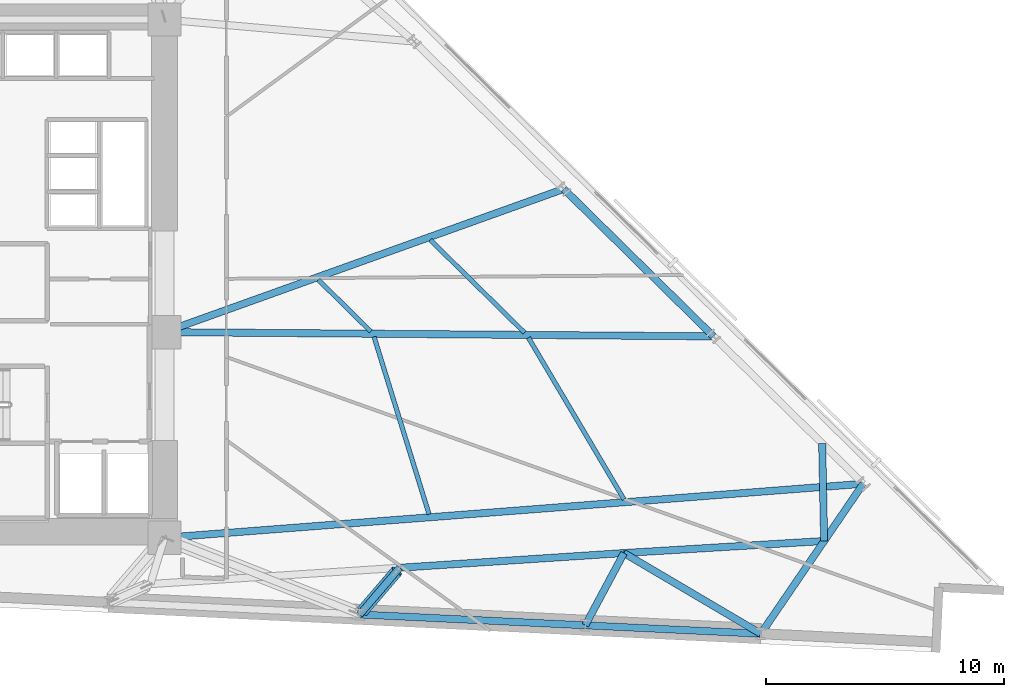
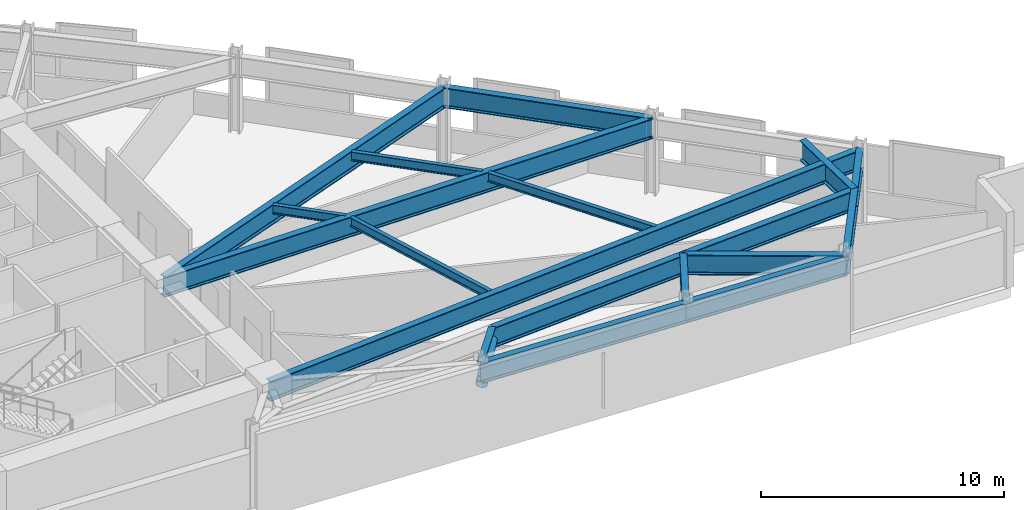
# One storey, part 3 of 18: 17 beams, 1 member.
"""IFC4 building model written with IfcOpenShell, lengths in metres."""

from ifc_helpers import new_model, si_unit, direction, frame, origin, origin_2d, place, context, subcontext, project, spatial, hollow_circle, i_section, extrude, material, material_profile, profile_set, type_object, element, save


model = new_model("IFC4")

# Units and contexts
model_context = context("Model", 3, precision=1e-05, world=origin(), true_north=direction((0.0, 1.0)))
body_context = subcontext(model_context, "Body", "Model", "MODEL_VIEW")
ifc_project = project(units=[si_unit("LENGTHUNIT", "METRE"), si_unit("AREAUNIT", "SQUARE_METRE"), si_unit("VOLUMEUNIT", "CUBIC_METRE"), si_unit("PLANEANGLEUNIT", "RADIAN"), si_unit("MASSUNIT", "GRAM", prefix="KILO")], contexts=[model_context])

# Site, building, storey
site_placement = place(None, origin())
site = spatial("IfcSite", under=ifc_project, at=site_placement, CompositionType="ELEMENT")
building_placement = place(site_placement, origin())
building = spatial("IfcBuilding", under=site, at=building_placement, Name="Narakoshi Arena Tower", CompositionType="ELEMENT")
storey_placement = place(building_placement, frame((0.0, 0.0, 59.10009765625)))
storey = spatial("IfcBuildingStorey", under=building, at=storey_placement, Name="L15", CompositionType="ELEMENT", Elevation=59.10009765625)

# Beams
ifc_material_1 = material(Name="Structural steel S355J2", Category="steel")
ifc_material_profile_1 = material_profile(ifc_material_1, i_section(OverallWidth=0.18994140625, OverallDepth=0.449951171875, WebThickness=0.009521484375, FlangeThickness=0.0146484375, FilletRadius=0.02099609375, at=origin_2d()), Name="IPE450")
ifc_profile_set_1 = profile_set([ifc_material_profile_1], Name="Structural steel S355J2")
beam_type_1 = type_object("IfcBeamType", Name="BM-SEC-450", PredefinedType="JOIST", material=ifc_profile_set_1)
beam_1_placement = place(storey_placement, frame((96.67919921875, 35.69140625, 3.574951171875), z_axis=(-0.296160353324, 0.955138233513, 0.0), x_axis=(-0.955138233513, -0.296160353324, 0.0)))
element("IfcBeam", 1, at=beam_1_placement, inside=storey, type_object=beam_type_1, Name="L15 Composite Secondary Floor Joist 01", PredefinedType="JOIST", context=body_context, shape_type="SweptSolid", body=[
    extrude(i_section(OverallWidth=0.18994140625, OverallDepth=0.449951171875, WebThickness=0.009521484375, FlangeThickness=0.0146484375, FilletRadius=0.02099609375, at=origin_2d()), origin(), (0.0, 0.0, 1.0), 7.8125),
])
beam_2_placement = place(storey_placement, frame((104.880126953125, 36.314453125, 3.574951171875), z_axis=(-0.508758462188, 0.860909302512, 0.0), x_axis=(-0.860909302512, -0.508758462188, 0.0)))
element("IfcBeam", 2, at=beam_2_placement, inside=storey, type_object=beam_type_1, Name="L15 Composite Secondary Floor Joist 02", PredefinedType="JOIST", context=body_context, shape_type="SweptSolid", body=[
    extrude(i_section(OverallWidth=0.18994140625, OverallDepth=0.449951171875, WebThickness=0.009521484375, FlangeThickness=0.0146484375, FilletRadius=0.02099609375, at=origin_2d()), origin(), (0.0, 0.0, 1.0), 7.900634765625),
])
beam_3_placement = place(storey_placement, frame((94.2294921875, 43.376953125, 3.574951171875), z_axis=(-0.712578369214, 0.701592522572, 0.0), x_axis=(-0.701592522572, -0.712578369214, 0.0)))
element("IfcBeam", 3, at=beam_3_placement, inside=storey, type_object=beam_type_1, Name="L15 Composite Secondary Floor Joist 03", PredefinedType="JOIST", context=body_context, shape_type="SweptSolid", body=[
    extrude(i_section(OverallWidth=0.18994140625, OverallDepth=0.449951171875, WebThickness=0.009521484375, FlangeThickness=0.0146484375, FilletRadius=0.02099609375, at=origin_2d()), origin(), (0.0, 0.0, 1.0), 3.089111328125),
])
beam_4_placement = place(storey_placement, frame((100.69580078125, 43.3271484375, 3.574951171875), z_axis=(-0.712548594801, 0.701622761923, 0.0), x_axis=(-0.701622761923, -0.712548594801, 0.0)))
element("IfcBeam", 4, at=beam_4_placement, inside=storey, type_object=beam_type_1, Name="L15 Composite Secondary Floor Joist 04", PredefinedType="JOIST", context=body_context, shape_type="SweptSolid", body=[
    extrude(i_section(OverallWidth=0.18994140625, OverallDepth=0.449951171875, WebThickness=0.009521484375, FlangeThickness=0.0146484375, FilletRadius=0.02099609375, at=origin_2d()), origin(), (0.0, 0.0, 1.0), 5.56396484375),
])
ifc_material_2 = material(Name="Structural steel S460ML", Category="steel")
ifc_material_profile_2 = material_profile(ifc_material_2, i_section(OverallWidth=0.302001953125, OverallDepth=1.008056640625, WebThickness=0.02099609375, FlangeThickness=0.0400390625, FilletRadius=0.030029296875, at=origin_2d()), Name="HE1000M")
ifc_profile_set_2 = profile_set([ifc_material_profile_2], Name="Structural steel S460ML")
beam_type_2 = type_object("IfcBeamType", Name="BM-XFER-1000", PredefinedType="BEAM", material=ifc_profile_set_2)
beam_5_placement = place(storey_placement, frame((93.760009765625, 31.472412109375, 3.2958984375), z_axis=(0.998849228903, -0.047960587155, 0.0), x_axis=(0.047960587155, 0.998849228903, 0.0)))
element("IfcBeam", 5, at=beam_5_placement, inside=storey, type_object=beam_type_2, Name="L15 Perimeter Transfer Ring Girder 02", PredefinedType="BEAM", context=body_context, shape_type="SweptSolid", body=[
    extrude(i_section(OverallWidth=0.302001953125, OverallDepth=1.008056640625, WebThickness=0.02099609375, FlangeThickness=0.0400390625, FilletRadius=0.030029296875, at=origin_2d()), origin(), (0.0, 0.0, 1.0), 9.50390625),
])
beam_6_placement = place(storey_placement, frame((103.2529296875, 31.0166015625, 3.2958984375), z_axis=(0.998847872759, -0.047988822508, 0.0), x_axis=(0.047988822508, 0.998847872759, 0.0)))
element("IfcBeam", 6, at=beam_6_placement, inside=storey, type_object=beam_type_2, Name="L15 Perimeter Transfer Ring Girder 03", PredefinedType="BEAM", context=body_context, shape_type="SweptSolid", body=[
    extrude(i_section(OverallWidth=0.302001953125, OverallDepth=1.008056640625, WebThickness=0.02099609375, FlangeThickness=0.0400390625, FilletRadius=0.030029296875, at=origin_2d()), origin(), (0.0, 0.0, 1.0), 7.39208984375),
])
beam_7_placement = place(storey_placement, frame((110.636474609375, 30.661865234375, 3.2958984375), z_axis=(0.563755333308, 0.825941840668, 0.0), x_axis=(-0.825941840668, 0.563755333308, 0.0)))
element("IfcBeam", 7, at=beam_7_placement, inside=storey, type_object=beam_type_2, Name="L15 Perimeter Transfer Ring Girder 04", PredefinedType="BEAM", context=body_context, shape_type="SweptSolid", body=[
    extrude(i_section(OverallWidth=0.302001953125, OverallDepth=1.008056640625, WebThickness=0.02099609375, FlangeThickness=0.0400390625, FilletRadius=0.030029296875, at=origin_2d()), origin(), (0.0, 0.0, 1.0), 7.637451171875),
])
beam_8_placement = place(storey_placement, frame((108.643798828125, 43.171875, 3.2958984375), z_axis=(-0.712540689328, 0.70163079041, 0.0), x_axis=(-0.70163079041, -0.712540689328, 0.0)))
element("IfcBeam", 8, at=beam_8_placement, inside=storey, type_object=beam_type_2, Name="L15 Perimeter Transfer Ring Girder 06", PredefinedType="BEAM", context=body_context, shape_type="SweptSolid", body=[
    extrude(i_section(OverallWidth=0.302001953125, OverallDepth=1.008056640625, WebThickness=0.02099609375, FlangeThickness=0.0400390625, FilletRadius=0.030029296875, at=origin_2d()), origin(), (0.0, 0.0, 1.0), 8.83935546875),
])
beam_9_placement = place(storey_placement, frame((93.760009765625, 31.472412109375, 3.2958984375), z_axis=(0.650146060975, 0.759809251983, 0.0), x_axis=(-0.759809251983, 0.650146060975, 0.0)))
element("IfcBeam", 9, at=beam_9_placement, inside=storey, type_object=beam_type_2, Name="L15 Block-Turn Transfer Node Girder 02-1", PredefinedType="BEAM", context=body_context, shape_type="SweptSolid", body=[
    extrude(i_section(OverallWidth=0.302001953125, OverallDepth=1.008056640625, WebThickness=0.02099609375, FlangeThickness=0.0400390625, FilletRadius=0.030029296875, at=origin_2d()), origin(), (0.0, 0.0, 1.0), 2.5869140625),
])
beam_10_placement = place(storey_placement, frame((103.2529296875, 31.0166015625, 3.2958984375), z_axis=(0.471411463361, 0.881913392693, 0.0), x_axis=(-0.881913392693, 0.471411463361, 0.0)))
element("IfcBeam", 10, at=beam_10_placement, inside=storey, type_object=beam_type_2, Name="L15 Block-Turn Transfer Node Girder 03-1", PredefinedType="BEAM", context=body_context, shape_type="SweptSolid", body=[
    extrude(i_section(OverallWidth=0.302001953125, OverallDepth=1.008056640625, WebThickness=0.02099609375, FlangeThickness=0.0400390625, FilletRadius=0.030029296875, at=origin_2d()), origin(), (0.0, 0.0, 1.0), 3.447021484375),
])
beam_11_placement = place(storey_placement, frame((110.636474609375, 30.661865234375, 3.2958984375), z_axis=(-0.861450302428, 0.507841881344, 0.0), x_axis=(-0.507841881344, -0.861450302428, 0.0)))
element("IfcBeam", 11, at=beam_11_placement, inside=storey, type_object=beam_type_2, Name="L15 Block-Turn Transfer Node Girder 03-2", PredefinedType="BEAM", context=body_context, shape_type="SweptSolid", body=[
    extrude(i_section(OverallWidth=0.302001953125, OverallDepth=1.008056640625, WebThickness=0.02099609375, FlangeThickness=0.0400390625, FilletRadius=0.030029296875, at=origin_2d()), origin(), (0.0, 0.0, 1.0), 6.684814453125),
])
beam_12_placement = place(storey_placement, frame((95.44189453125, 33.43798828125, 3.2958984375), z_axis=(0.997857667494, 0.065422285367, 0.0), x_axis=(-0.065422285367, 0.997857667494, 0.0)))
element("IfcBeam", 12, at=beam_12_placement, inside=storey, type_object=beam_type_2, Name="L15 Upper-Block Transfer Ring Girder 02", PredefinedType="BEAM", context=body_context, shape_type="SweptSolid", body=[
    extrude(i_section(OverallWidth=0.302001953125, OverallDepth=1.008056640625, WebThickness=0.02099609375, FlangeThickness=0.0400390625, FilletRadius=0.030029296875, at=origin_2d()), origin(), (0.0, 0.0, 1.0), 9.456298828125),
])
beam_13_placement = place(storey_placement, frame((104.8779296875, 34.056640625, 3.2958984375), z_axis=(0.998193929855, 0.060073941104, 0.0), x_axis=(-0.060073941104, 0.998193929855, 0.0)))
element("IfcBeam", 13, at=beam_13_placement, inside=storey, type_object=beam_type_2, Name="L15 Upper-Block Transfer Ring Girder 03", PredefinedType="BEAM", context=body_context, shape_type="SweptSolid", body=[
    extrude(i_section(OverallWidth=0.302001953125, OverallDepth=1.008056640625, WebThickness=0.02099609375, FlangeThickness=0.0400390625, FilletRadius=0.030029296875, at=origin_2d()), origin(), (0.0, 0.0, 1.0), 8.436767578125),
])
beam_14_placement = place(storey_placement, frame((113.299560546875, 34.5634765625, 3.2958984375), z_axis=(-0.020272933264, 0.99979448297, 0.0), x_axis=(-0.99979448297, -0.020272933264, 0.0)))
element("IfcBeam", 14, at=beam_14_placement, inside=storey, type_object=beam_type_2, Name="L15 Upper-Block Transfer Ring Girder 04", PredefinedType="BEAM", context=body_context, shape_type="SweptSolid", body=[
    extrude(i_section(OverallWidth=0.302001953125, OverallDepth=1.008056640625, WebThickness=0.02099609375, FlangeThickness=0.0400390625, FilletRadius=0.030029296875, at=origin_2d()), origin(), (0.0, 0.0, 1.0), 4.1064453125),
])
beam_15_placement = place(storey_placement, frame((85.550048828125, 34.699951171875, 3.2958984375), z_axis=(0.99703085997, 0.077003014669, 0.0), x_axis=(-0.077003014669, 0.99703085997, 0.0)))
element("IfcBeam", 15, at=beam_15_placement, inside=storey, type_object=beam_type_2, Name="L15 Radial Primary Floor Girder 05", PredefinedType="BEAM", context=body_context, shape_type="SweptSolid", body=[
    extrude(i_section(OverallWidth=0.302001953125, OverallDepth=1.008056640625, WebThickness=0.02099609375, FlangeThickness=0.0400390625, FilletRadius=0.030029296875, at=origin_2d()), origin(), (0.0, 0.0, 1.0), 29.479736328125),
])
beam_16_placement = place(storey_placement, frame((85.550048828125, 43.35009765625, 3.2958984375), z_axis=(0.99997022255, -0.00771712473, 0.0), x_axis=(0.00771712473, 0.99997022255, 0.0)))
element("IfcBeam", 16, at=beam_16_placement, inside=storey, type_object=beam_type_2, Name="L15 Radial Primary Floor Girder 06", PredefinedType="BEAM", context=body_context, shape_type="SweptSolid", body=[
    extrude(i_section(OverallWidth=0.302001953125, OverallDepth=1.008056640625, WebThickness=0.02099609375, FlangeThickness=0.0400390625, FilletRadius=0.030029296875, at=origin_2d()), origin(), (0.0, 0.0, 1.0), 23.094482421875),
])
beam_17_placement = place(storey_placement, frame((85.550048828125, 43.35009765625, 3.2958984375), z_axis=(0.941291582753, 0.337594662634, 0.0), x_axis=(-0.337594662634, 0.941291582753, 0.0)))
element("IfcBeam", 17, at=beam_17_placement, inside=storey, type_object=beam_type_2, Name="L15 Radial Primary Floor Girder 07", PredefinedType="BEAM", context=body_context, shape_type="SweptSolid", body=[
    extrude(i_section(OverallWidth=0.302001953125, OverallDepth=1.008056640625, WebThickness=0.02099609375, FlangeThickness=0.0400390625, FilletRadius=0.030029296875, at=origin_2d()), origin(), (0.0, 0.0, 1.0), 17.843017578125),
])

# Member
ifc_material_profile_3 = material_profile(ifc_material_2, hollow_circle(Radius=0.25390625, WallThickness=0.02001953125, at=origin_2d()), Name="CHS508x20")
ifc_profile_set_3 = profile_set([ifc_material_profile_3], Name="Structural steel S460ML")
member_type = type_object("IfcMemberType", Name="MEM-BLT-508", PredefinedType="BRACE", material=ifc_profile_set_3)
member_placement = place(storey_placement, frame((93.876953125, 31.609375, 2.5498046875), z_axis=(0.616475624551, 0.720434414525, 0.317698062163), x_axis=(-0.759798084814, 0.650159111536, 0.0)))
element("IfcMember", 18, at=member_placement, inside=storey, type_object=member_type, Name="L15 Perimeter Belt-Truss Diagonal 02", PredefinedType="BRACE", context=body_context, shape_type="SweptSolid", body=[
    extrude(hollow_circle(Radius=0.25390625, WallThickness=0.02001953125, at=origin_2d()), origin(), (0.0, 0.0, 1.0), 2.348388671875),
])

save(model, "model.ifc")
